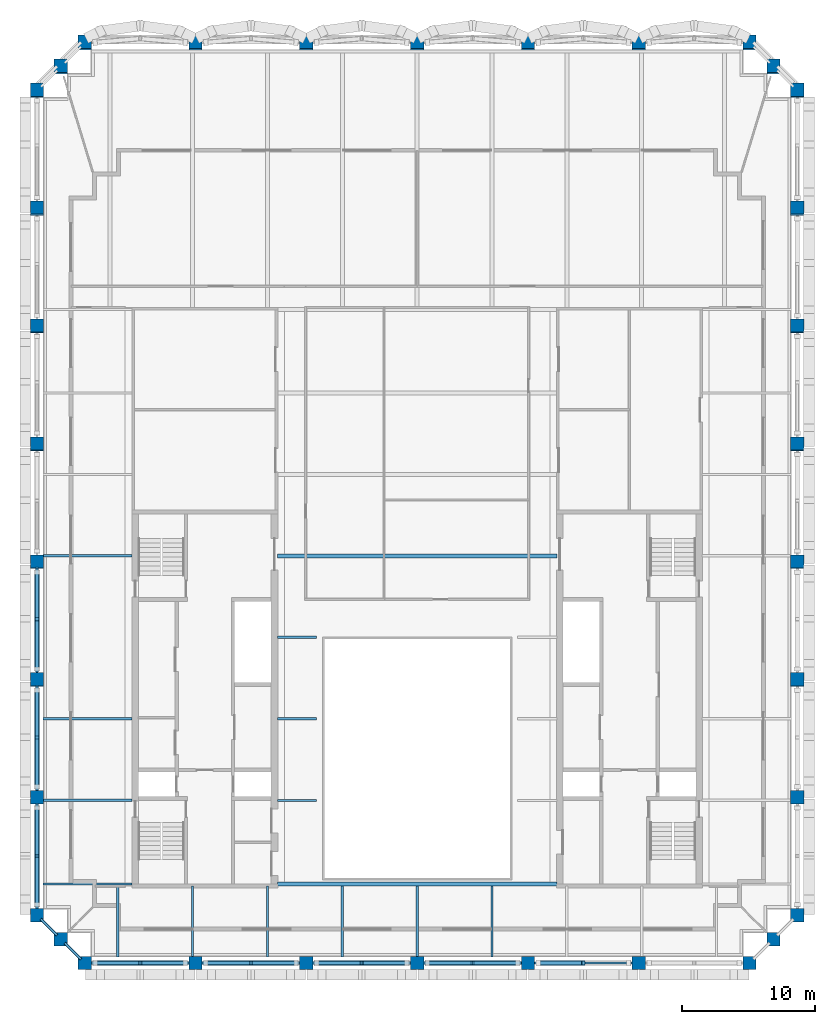
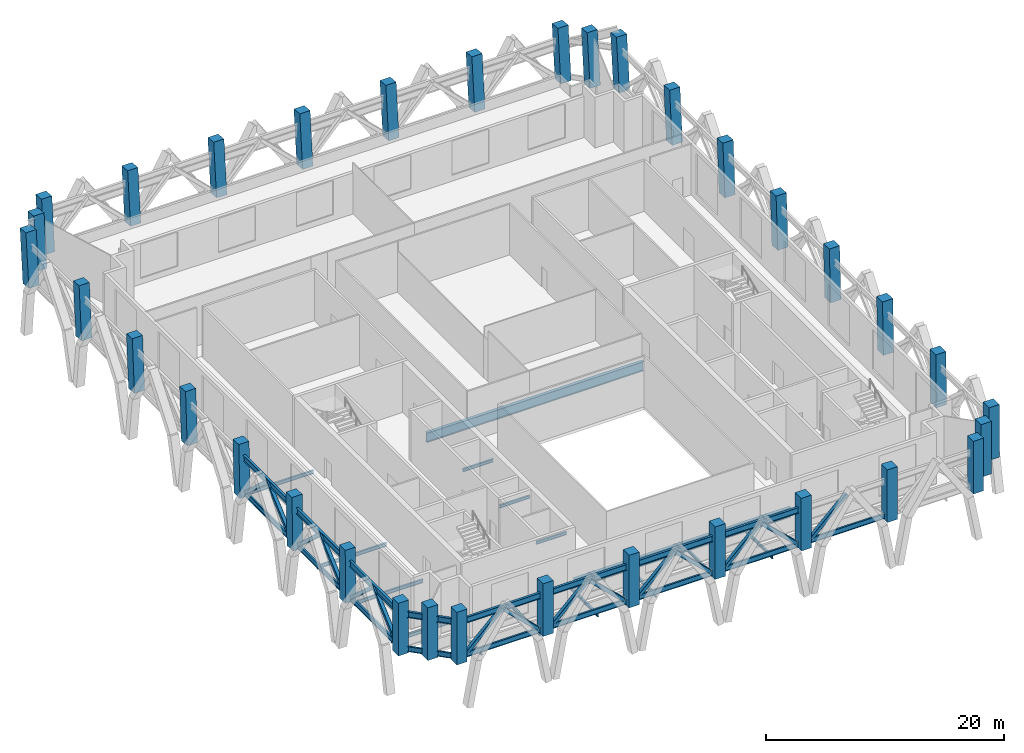
# One storey, part 1 of 13: 34 beams, 34 columns, 15 members.
"""IFC4 building model written with IfcOpenShell, lengths in metres."""

from ifc_helpers import new_model, si_unit, direction, frame, origin, origin_2d, place, context, subcontext, project, spatial, rectangle, hollow_rectangle, i_section, extrude, material, material_profile, profile_set, type_object, element, save


model = new_model("IFC4")

# Units and contexts
model_context = context("Model", 3, precision=1e-05, world=origin(), true_north=direction((0.0, 1.0)))
body_context = subcontext(model_context, "Body", "Model", "MODEL_VIEW")
ifc_project = project(units=[si_unit("LENGTHUNIT", "METRE"), si_unit("AREAUNIT", "SQUARE_METRE"), si_unit("VOLUMEUNIT", "CUBIC_METRE"), si_unit("PLANEANGLEUNIT", "RADIAN"), si_unit("MASSUNIT", "GRAM", prefix="KILO")], contexts=[model_context])

# Site, building, storey
site_placement = place(None, origin())
site = spatial("IfcSite", under=ifc_project, at=site_placement, CompositionType="ELEMENT")
building_placement = place(site_placement, origin())
building = spatial("IfcBuilding", under=site, at=building_placement, Name="Ogive Exchange Tower", CompositionType="ELEMENT")
storey_placement = place(building_placement, frame((0.0, 0.0, 363.60009765625)))
storey = spatial("IfcBuildingStorey", under=building, at=storey_placement, Name="L80", CompositionType="ELEMENT", Elevation=363.60009765625)

# Columns
ifc_material_1 = material(Name="Precast concrete C70/85 (limestone faced)", Category="masonry")
ifc_material_profile_1 = material_profile(ifc_material_1, rectangle(XDim=1.0, YDim=1.0, at=origin_2d()), Name="1000 x 1000")
ifc_profile_set_1 = profile_set([ifc_material_profile_1], Name="Precast concrete C70/85 (limestone faced)")
column_type = type_object("IfcColumnType", Name="Precast exoskeleton leg 1000 x 1000 C70/85", PredefinedType="COLUMN", material=ifc_profile_set_1)
for number, where, z_axis, x_axis, name in (
    (1, (-25.050048828125, -8.39990234375, 0.0), (0.0, 0.0, 1.0), (1.0, 0.0, 0.0), "Exoskeleton leg 1"),
    (2, (-16.699951171875, -8.39990234375, 0.0), (0.0, 0.0, 1.0), (1.0, 0.0, 0.0), "Exoskeleton leg 2"),
    (3, (-8.35009765625, -8.39990234375, 0.0), (0.0, 0.0, 1.0), (1.0, 0.0, 0.0), "Exoskeleton leg 3"),
    (4, (0.0, -8.39990234375, 0.0), (0.0, 0.0, 1.0), (1.0, 0.0, 0.0), "Exoskeleton leg 4"),
    (5, (8.35009765625, -8.39990234375, 0.0), (0.0, 0.0, 1.0), (1.0, 0.0, 0.0), "Exoskeleton leg 5"),
    (6, (16.699951171875, -8.39990234375, 0.0), (0.0, 0.0, 1.0), (1.0, 0.0, 0.0), "Exoskeleton leg 6"),
    (7, (25.050048828125, -8.39990234375, 0.0), (0.0, 0.0, 1.0), (1.0, 0.0, 0.0), "Exoskeleton leg 7"),
    (8, (28.64990234375, -4.800048828125, 0.0), (0.0, 0.0, 1.0), (1.0, 0.0, 0.0), "Exoskeleton leg 8"),
):
    element("IfcColumn", number, at=place(storey_placement, frame(where, z_axis=z_axis, x_axis=x_axis)), inside=storey, type_object=column_type, Name=name, PredefinedType="COLUMN", context=body_context, shape_type="SweptSolid", body=[
        extrude(rectangle(XDim=1.0, YDim=1.0, at=origin_2d()), origin(), (0.0, 0.0, 1.0), 5.39990234375),
    ])
column_1_placement = place(storey_placement, frame((28.64990234375, 4.07275390625, 0.0), z_axis=(0.0, 0.012974764515, 0.9999158242), x_axis=(-1.0, 0.0, 0.0)))
element("IfcColumn", 9, at=column_1_placement, inside=storey, type_object=column_type, Name="Exoskeleton leg 9", PredefinedType="COLUMN", context=body_context, shape_type="SweptSolid", body=[
    extrude(rectangle(XDim=1.0, YDim=1.0, at=origin_2d()), origin(), (0.0, 0.0, 1.0), 5.400390625),
])
column_2_placement = place(storey_placement, frame((28.64990234375, 12.945556640625, 0.0), z_axis=(0.0, 0.02594297882, 0.999663424283), x_axis=(-1.0, 0.0, 0.0)))
element("IfcColumn", 10, at=column_2_placement, inside=storey, type_object=column_type, Name="Exoskeleton leg 10", PredefinedType="COLUMN", context=body_context, shape_type="SweptSolid", body=[
    extrude(rectangle(XDim=1.0, YDim=1.0, at=origin_2d()), origin(), (0.0, 0.0, 1.0), 5.401611328125),
])
column_3_placement = place(storey_placement, frame((28.64990234375, 21.818115234375, 0.0), z_axis=(0.0, 0.038943218577, 0.999241425146), x_axis=(-1.0, 0.0, 0.0)))
element("IfcColumn", 11, at=column_3_placement, inside=storey, type_object=column_type, Name="Exoskeleton leg 11", PredefinedType="COLUMN", context=body_context, shape_type="SweptSolid", body=[
    extrude(rectangle(XDim=1.0, YDim=1.0, at=origin_2d()), origin(), (0.0, 0.0, 1.0), 5.404052734375),
])
column_4_placement = place(storey_placement, frame((28.64990234375, 30.69091796875, 0.0), z_axis=(0.0, 0.051878684787, 0.998653394359), x_axis=(-1.0, 0.0, 0.0)))
element("IfcColumn", 12, at=column_4_placement, inside=storey, type_object=column_type, Name="Exoskeleton leg 12", PredefinedType="COLUMN", context=body_context, shape_type="SweptSolid", body=[
    extrude(rectangle(XDim=1.0, YDim=1.0, at=origin_2d()), origin(), (0.0, 0.0, 1.0), 5.4072265625),
])
column_5_placement = place(storey_placement, frame((28.64990234375, 39.563720703125, 0.0), z_axis=(0.0, 0.064788092411, 0.997899044534), x_axis=(-1.0, 0.0, 0.0)))
element("IfcColumn", 13, at=column_5_placement, inside=storey, type_object=column_type, Name="Exoskeleton leg 13", PredefinedType="COLUMN", context=body_context, shape_type="SweptSolid", body=[
    extrude(rectangle(XDim=1.0, YDim=1.0, at=origin_2d()), origin(), (0.0, 0.0, 1.0), 5.411376953125),
])
column_6_placement = place(storey_placement, frame((28.64990234375, 48.436279296875, 0.0), z_axis=(0.0, 0.077709858612, 0.9969760167), x_axis=(-1.0, 0.0, 0.0)))
element("IfcColumn", 14, at=column_6_placement, inside=storey, type_object=column_type, Name="Exoskeleton leg 14", PredefinedType="COLUMN", context=body_context, shape_type="SweptSolid", body=[
    extrude(rectangle(XDim=1.0, YDim=1.0, at=origin_2d()), origin(), (0.0, 0.0, 1.0), 5.416259765625),
])
for number, where, z_axis, x_axis, name in (
    (15, (28.64990234375, 57.30908203125, 0.0), (0.0, 0.090547925286, 0.995892099189), (-1.0, 0.0, 0.0), "Exoskeleton leg 15"),
    (16, (25.050048828125, 60.9091796875, 0.0), (0.0, 0.090503267862, 0.995896158496), (-1.0, 0.0, 0.0), "Exoskeleton leg 16"),
    (17, (16.699951171875, 60.9091796875, 0.0), (0.0, 0.090503267862, 0.995896158496), (-1.0, 0.0, 0.0), "Exoskeleton leg 17"),
    (18, (8.35009765625, 60.9091796875, 0.0), (0.0, 0.090503267862, 0.995896158496), (-1.0, 0.0, 0.0), "Exoskeleton leg 18"),
    (19, (0.0, 60.9091796875, 0.0), (0.0, 0.090503267862, 0.995896158496), (-1.0, 0.0, 0.0), "Exoskeleton leg 19"),
    (20, (-8.35009765625, 60.9091796875, 0.0), (0.0, 0.090503267862, 0.995896158496), (-1.0, 0.0, 0.0), "Exoskeleton leg 20"),
    (21, (-16.699951171875, 60.9091796875, 0.0), (0.0, 0.090503267862, 0.995896158496), (-1.0, 0.0, 0.0), "Exoskeleton leg 21"),
    (22, (-25.050048828125, 60.9091796875, 0.0), (0.0, 0.090503267862, 0.995896158496), (-1.0, 0.0, 0.0), "Exoskeleton leg 22"),
    (23, (-28.64990234375, 57.30908203125, 0.0), (0.0, 0.090547925286, 0.995892099189), (-1.0, 0.0, 0.0), "Exoskeleton leg 23"),
):
    element("IfcColumn", number, at=place(storey_placement, frame(where, z_axis=z_axis, x_axis=x_axis)), inside=storey, type_object=column_type, Name=name, PredefinedType="COLUMN", context=body_context, shape_type="SweptSolid", body=[
        extrude(rectangle(XDim=1.0, YDim=1.0, at=origin_2d()), origin(), (0.0, 0.0, 1.0), 5.422119140625),
    ])
column_7_placement = place(storey_placement, frame((-28.64990234375, 48.436279296875, 0.0), z_axis=(0.0, 0.077709858612, 0.9969760167), x_axis=(-1.0, 0.0, 0.0)))
element("IfcColumn", 24, at=column_7_placement, inside=storey, type_object=column_type, Name="Exoskeleton leg 24", PredefinedType="COLUMN", context=body_context, shape_type="SweptSolid", body=[
    extrude(rectangle(XDim=1.0, YDim=1.0, at=origin_2d()), origin(), (0.0, 0.0, 1.0), 5.416259765625),
])
column_8_placement = place(storey_placement, frame((-28.64990234375, 39.563720703125, 0.0), z_axis=(0.0, 0.064788092411, 0.997899044534), x_axis=(-1.0, 0.0, 0.0)))
element("IfcColumn", 25, at=column_8_placement, inside=storey, type_object=column_type, Name="Exoskeleton leg 25", PredefinedType="COLUMN", context=body_context, shape_type="SweptSolid", body=[
    extrude(rectangle(XDim=1.0, YDim=1.0, at=origin_2d()), origin(), (0.0, 0.0, 1.0), 5.411376953125),
])
column_9_placement = place(storey_placement, frame((-28.64990234375, 30.69091796875, 0.0), z_axis=(0.0, 0.051878684787, 0.998653394359), x_axis=(-1.0, 0.0, 0.0)))
element("IfcColumn", 26, at=column_9_placement, inside=storey, type_object=column_type, Name="Exoskeleton leg 26", PredefinedType="COLUMN", context=body_context, shape_type="SweptSolid", body=[
    extrude(rectangle(XDim=1.0, YDim=1.0, at=origin_2d()), origin(), (0.0, 0.0, 1.0), 5.4072265625),
])
column_10_placement = place(storey_placement, frame((-28.64990234375, 21.818115234375, 0.0), z_axis=(0.0, 0.038943218577, 0.999241425146), x_axis=(-1.0, 0.0, 0.0)))
element("IfcColumn", 27, at=column_10_placement, inside=storey, type_object=column_type, Name="Exoskeleton leg 27", PredefinedType="COLUMN", context=body_context, shape_type="SweptSolid", body=[
    extrude(rectangle(XDim=1.0, YDim=1.0, at=origin_2d()), origin(), (0.0, 0.0, 1.0), 5.404052734375),
])
column_11_placement = place(storey_placement, frame((-28.64990234375, 12.945556640625, 0.0), z_axis=(0.0, 0.02594297882, 0.999663424283), x_axis=(-1.0, 0.0, 0.0)))
element("IfcColumn", 28, at=column_11_placement, inside=storey, type_object=column_type, Name="Exoskeleton leg 28", PredefinedType="COLUMN", context=body_context, shape_type="SweptSolid", body=[
    extrude(rectangle(XDim=1.0, YDim=1.0, at=origin_2d()), origin(), (0.0, 0.0, 1.0), 5.401611328125),
])
column_12_placement = place(storey_placement, frame((-28.64990234375, 4.07275390625, 0.0), z_axis=(0.0, 0.012974764515, 0.9999158242), x_axis=(-1.0, 0.0, 0.0)))
element("IfcColumn", 29, at=column_12_placement, inside=storey, type_object=column_type, Name="Exoskeleton leg 29", PredefinedType="COLUMN", context=body_context, shape_type="SweptSolid", body=[
    extrude(rectangle(XDim=1.0, YDim=1.0, at=origin_2d()), origin(), (0.0, 0.0, 1.0), 5.400390625),
])
for number, where, z_axis, x_axis, name in (
    (30, (-28.64990234375, -4.800048828125, 0.0), (0.0, 0.0, 1.0), (1.0, 0.0, 0.0), "Exoskeleton leg 30"),
    (31, (26.85009765625, -6.60009765625, 0.0), (0.0, 0.0, 1.0), (1.0, 0.0, 0.0), "Exoskeleton leg 31"),
):
    element("IfcColumn", number, at=place(storey_placement, frame(where, z_axis=z_axis, x_axis=x_axis)), inside=storey, type_object=column_type, Name=name, PredefinedType="COLUMN", context=body_context, shape_type="SweptSolid", body=[
        extrude(rectangle(XDim=1.0, YDim=1.0, at=origin_2d()), origin(), (0.0, 0.0, 1.0), 5.39990234375),
    ])
for number, where, z_axis, x_axis, name in (
    (32, (26.85009765625, 59.109130859375, 0.0), (0.0, 0.090547925286, 0.995892099189), (-1.0, 0.0, 0.0), "Exoskeleton leg 32"),
    (33, (-26.85009765625, 59.109130859375, 0.0), (0.0, 0.090547925286, 0.995892099189), (-1.0, 0.0, 0.0), "Exoskeleton leg 33"),
):
    element("IfcColumn", number, at=place(storey_placement, frame(where, z_axis=z_axis, x_axis=x_axis)), inside=storey, type_object=column_type, Name=name, PredefinedType="COLUMN", context=body_context, shape_type="SweptSolid", body=[
        extrude(rectangle(XDim=1.0, YDim=1.0, at=origin_2d()), origin(), (0.0, 0.0, 1.0), 5.422119140625),
    ])
column_13_placement = place(storey_placement, frame((-26.85009765625, -6.60009765625, 0.0), z_axis=(0.0, 0.0, 1.0), x_axis=(1.0, 0.0, 0.0)))
element("IfcColumn", 34, at=column_13_placement, inside=storey, type_object=column_type, Name="Exoskeleton leg 34", PredefinedType="COLUMN", context=body_context, shape_type="SweptSolid", body=[
    extrude(rectangle(XDim=1.0, YDim=1.0, at=origin_2d()), origin(), (0.0, 0.0, 1.0), 5.39990234375),
])

# Beams
ifc_material_2 = material(Name="Steel ASTM A992 Gr50", Category="steel")
ifc_material_profile_2 = material_profile(ifc_material_2, i_section(OverallWidth=0.1669921875, OverallDepth=0.535888671875, WebThickness=0.01025390625, FlangeThickness=0.0166015625, at=origin_2d()), Name="W530x85")
ifc_profile_set_2 = profile_set([ifc_material_profile_2], Name="Steel ASTM A992 Gr50")
beam_type_1 = type_object("IfcBeamType", Name="Belt truss bottom chord W530x85", PredefinedType="BEAM", material=ifc_profile_set_2)
beam_1_placement = place(storey_placement, frame((-24.570068359375, -8.39990234375, 0.39990234375), z_axis=(1.0, 0.0, 0.0), x_axis=(0.0, 1.0, 0.0)))
element("IfcBeam", 35, at=beam_1_placement, inside=storey, type_object=beam_type_1, Name="Belt truss bottom chord 1", PredefinedType="BEAM", context=body_context, shape_type="SweptSolid", body=[
    extrude(i_section(OverallWidth=0.1669921875, OverallDepth=0.535888671875, WebThickness=0.01025390625, FlangeThickness=0.0166015625, at=origin_2d()), origin(), (0.0, 0.0, 1.0), 7.39013671875),
])
beam_2_placement = place(storey_placement, frame((-16.219970703125, -8.39990234375, 0.39990234375), z_axis=(1.0, 0.0, 0.0), x_axis=(0.0, 1.0, 0.0)))
element("IfcBeam", 36, at=beam_2_placement, inside=storey, type_object=beam_type_1, Name="Belt truss bottom chord 2", PredefinedType="BEAM", context=body_context, shape_type="SweptSolid", body=[
    extrude(i_section(OverallWidth=0.1669921875, OverallDepth=0.535888671875, WebThickness=0.01025390625, FlangeThickness=0.0166015625, at=origin_2d()), origin(), (0.0, 0.0, 1.0), 7.389892578125),
])
for number, where, z_axis, x_axis, name in (
    (37, (-7.8701171875, -8.39990234375, 0.39990234375), (1.0, 0.0, 0.0), (0.0, 1.0, 0.0), "Belt truss bottom chord 3"),
    (38, (0.47998046875, -8.39990234375, 0.39990234375), (1.0, 0.0, 0.0), (0.0, 1.0, 0.0), "Belt truss bottom chord 4"),
):
    element("IfcBeam", number, at=place(storey_placement, frame(where, z_axis=z_axis, x_axis=x_axis)), inside=storey, type_object=beam_type_1, Name=name, PredefinedType="BEAM", context=body_context, shape_type="SweptSolid", body=[
        extrude(i_section(OverallWidth=0.1669921875, OverallDepth=0.535888671875, WebThickness=0.01025390625, FlangeThickness=0.0166015625, at=origin_2d()), origin(), (0.0, 0.0, 1.0), 7.39013671875),
    ])
beam_3_placement = place(storey_placement, frame((8.830078125, -8.39990234375, 0.39990234375), z_axis=(1.0, 0.0, 0.0), x_axis=(0.0, 1.0, 0.0)))
element("IfcBeam", 39, at=beam_3_placement, inside=storey, type_object=beam_type_1, Name="Belt truss bottom chord 5", PredefinedType="BEAM", context=body_context, shape_type="SweptSolid", body=[
    extrude(i_section(OverallWidth=0.1669921875, OverallDepth=0.535888671875, WebThickness=0.01025390625, FlangeThickness=0.0166015625, at=origin_2d()), origin(), (0.0, 0.0, 1.0), 7.389892578125),
])
for number, where, z_axis, x_axis, name in (
    (40, (-28.64990234375, 21.353759765625, 0.39990234375), (0.0, -1.0, 0.0), (1.0, 0.0, 0.0), "Belt truss bottom chord 30"),
    (41, (-28.64990234375, 12.475830078125, 0.39990234375), (0.0, -1.0, 0.0), (1.0, 0.0, 0.0), "Belt truss bottom chord 31"),
    (42, (-28.64990234375, 3.597900390625, 0.39990234375), (0.0, -1.0, 0.0), (1.0, 0.0, 0.0), "Belt truss bottom chord 32"),
):
    element("IfcBeam", number, at=place(storey_placement, frame(where, z_axis=z_axis, x_axis=x_axis)), inside=storey, type_object=beam_type_1, Name=name, PredefinedType="BEAM", context=body_context, shape_type="SweptSolid", body=[
        extrude(i_section(OverallWidth=0.1669921875, OverallDepth=0.535888671875, WebThickness=0.01025390625, FlangeThickness=0.0166015625, at=origin_2d()), origin(), (0.0, 0.0, 1.0), 7.91796875),
    ])
for number, where, z_axis, x_axis, name in (
    (43, (-28.362060546875, -5.087890625, 0.39990234375), (0.707106781187, -0.707106781187, 0.0), (0.707106781187, 0.707106781187, 0.0), "Belt truss bottom chord 33"),
    (44, (-26.56201171875, -6.887939453125, 0.39990234375), (0.707106781187, -0.707106781187, 0.0), (0.707106781187, 0.707106781187, 0.0), "Belt truss bottom chord 34"),
):
    element("IfcBeam", number, at=place(storey_placement, frame(where, z_axis=z_axis, x_axis=x_axis)), inside=storey, type_object=beam_type_1, Name=name, PredefinedType="BEAM", context=body_context, shape_type="SweptSolid", body=[
        extrude(i_section(OverallWidth=0.1669921875, OverallDepth=0.535888671875, WebThickness=0.01025390625, FlangeThickness=0.0166015625, at=origin_2d()), origin(), (0.0, 0.0, 1.0), 1.731201171875),
    ])

# Members
ifc_material_3 = material(Name="Steel ASTM A1085 Gr A", Category="steel")
ifc_material_profile_3 = material_profile(ifc_material_3, hollow_rectangle(XDim=0.35595703125, YDim=0.35595703125, WallThickness=0.015869140625, InnerFilletRadius=0.015869140625, OuterFilletRadius=0.03173828125, at=origin_2d()), Name="HSS355.6x355.6x15.9")
ifc_profile_set_3 = profile_set([ifc_material_profile_3], Name="Steel ASTM A1085 Gr A")
member_type = type_object("IfcMemberType", Name="Belt truss diagonal HSS355.6x355.6x15.9", PredefinedType="BRACE", material=ifc_profile_set_3)
for number, where, z_axis, x_axis, name in (
    (45, (-24.2724609375, -8.39990234375, 0.685302734375), (0.721707482374, 0.0, 0.692198172409), (0.0, 1.0, 0.0), "Belt truss diagonal 1a"),
    (46, (-17.4775390625, -8.39990234375, 0.685302734375), (-0.721707482374, 0.0, 0.692198172409), (0.0, -1.0, 0.0), "Belt truss diagonal 1b"),
):
    element("IfcMember", number, at=place(storey_placement, frame(where, z_axis=z_axis, x_axis=x_axis)), inside=storey, type_object=member_type, Name=name, PredefinedType="BRACE", context=body_context, shape_type="SweptSolid", body=[
        extrude(hollow_rectangle(XDim=0.35595703125, YDim=0.35595703125, WallThickness=0.015869140625, InnerFilletRadius=0.015869140625, OuterFilletRadius=0.03173828125, at=origin_2d()), origin(), (0.0, 0.0, 1.0), 4.70751953125),
    ])
member_1_placement = place(storey_placement, frame((-15.922607421875, -8.39990234375, 0.685302734375), z_axis=(0.721732329908, 0.0, 0.692172264661), x_axis=(0.0, 1.0, 0.0)))
element("IfcMember", 47, at=member_1_placement, inside=storey, type_object=member_type, Name="Belt truss diagonal 2a", PredefinedType="BRACE", context=body_context, shape_type="SweptSolid", body=[
    extrude(hollow_rectangle(XDim=0.35595703125, YDim=0.35595703125, WallThickness=0.015869140625, InnerFilletRadius=0.015869140625, OuterFilletRadius=0.03173828125, at=origin_2d()), origin(), (0.0, 0.0, 1.0), 4.707763671875),
])
for number, where, z_axis, x_axis, name in (
    (48, (-9.12744140625, -8.39990234375, 0.685302734375), (-0.721707482374, 0.0, 0.692198172409), (0.0, -1.0, 0.0), "Belt truss diagonal 2b"),
    (49, (-7.572509765625, -8.39990234375, 0.685302734375), (0.721707482374, 0.0, 0.692198172409), (0.0, 1.0, 0.0), "Belt truss diagonal 3a"),
    (50, (-0.777587890625, -8.39990234375, 0.685302734375), (-0.721707482374, 0.0, 0.692198172409), (0.0, -1.0, 0.0), "Belt truss diagonal 3b"),
    (51, (0.777587890625, -8.39990234375, 0.685302734375), (0.721707482374, 0.0, 0.692198172409), (0.0, 1.0, 0.0), "Belt truss diagonal 4a"),
    (52, (7.572509765625, -8.39990234375, 0.685302734375), (-0.721707482374, 0.0, 0.692198172409), (0.0, -1.0, 0.0), "Belt truss diagonal 4b"),
    (53, (9.12744140625, -8.39990234375, 0.685302734375), (0.721707482374, 0.0, 0.692198172409), (0.0, 1.0, 0.0), "Belt truss diagonal 5a"),
):
    element("IfcMember", number, at=place(storey_placement, frame(where, z_axis=z_axis, x_axis=x_axis)), inside=storey, type_object=member_type, Name=name, PredefinedType="BRACE", context=body_context, shape_type="SweptSolid", body=[
        extrude(hollow_rectangle(XDim=0.35595703125, YDim=0.35595703125, WallThickness=0.015869140625, InnerFilletRadius=0.015869140625, OuterFilletRadius=0.03173828125, at=origin_2d()), origin(), (0.0, 0.0, 1.0), 4.70751953125),
    ])
member_2_placement = place(storey_placement, frame((-28.64990234375, 21.044677734375, 0.684814453125), z_axis=(0.0, -0.735190744235, 0.677860287664), x_axis=(1.0, 0.0, 0.0)))
element("IfcMember", 54, at=member_2_placement, inside=storey, type_object=member_type, Name="Belt truss diagonal 30a", PredefinedType="BRACE", context=body_context, shape_type="SweptSolid", body=[
    extrude(hollow_rectangle(XDim=0.35595703125, YDim=0.35595703125, WallThickness=0.015869140625, InnerFilletRadius=0.015869140625, OuterFilletRadius=0.03173828125, at=origin_2d()), origin(), (0.0, 0.0, 1.0), 4.807861328125),
])
member_3_placement = place(storey_placement, frame((-28.64990234375, 13.7626953125, 0.684326171875), z_axis=(0.0, 0.75450709433, 0.656291889791), x_axis=(-1.0, 0.0, 0.0)))
element("IfcMember", 55, at=member_3_placement, inside=storey, type_object=member_type, Name="Belt truss diagonal 30b", PredefinedType="BRACE", context=body_context, shape_type="SweptSolid", body=[
    extrude(hollow_rectangle(XDim=0.35595703125, YDim=0.35595703125, WallThickness=0.015869140625, InnerFilletRadius=0.015869140625, OuterFilletRadius=0.03173828125, at=origin_2d()), origin(), (0.0, 0.0, 1.0), 4.966552734375),
])
member_4_placement = place(storey_placement, frame((-28.64990234375, 12.1630859375, 0.684814453125), z_axis=(0.0, -0.739211407114, 0.673473455744), x_axis=(1.0, 0.0, 0.0)))
element("IfcMember", 56, at=member_4_placement, inside=storey, type_object=member_type, Name="Belt truss diagonal 31a", PredefinedType="BRACE", context=body_context, shape_type="SweptSolid", body=[
    extrude(hollow_rectangle(XDim=0.35595703125, YDim=0.35595703125, WallThickness=0.015869140625, InnerFilletRadius=0.015869140625, OuterFilletRadius=0.03173828125, at=origin_2d()), origin(), (0.0, 0.0, 1.0), 4.839111328125),
])
member_5_placement = place(storey_placement, frame((-28.64990234375, 4.88134765625, 0.684326171875), z_axis=(0.0, 0.750765534704, 0.660568779084), x_axis=(-1.0, 0.0, 0.0)))
element("IfcMember", 57, at=member_5_placement, inside=storey, type_object=member_type, Name="Belt truss diagonal 31b", PredefinedType="BRACE", context=body_context, shape_type="SweptSolid", body=[
    extrude(hollow_rectangle(XDim=0.35595703125, YDim=0.35595703125, WallThickness=0.015869140625, InnerFilletRadius=0.015869140625, OuterFilletRadius=0.03173828125, at=origin_2d()), origin(), (0.0, 0.0, 1.0), 4.934326171875),
])
member_6_placement = place(storey_placement, frame((-28.64990234375, 3.28173828125, 0.6845703125), z_axis=(0.0, -0.743129630386, 0.669147481833), x_axis=(1.0, 0.0, 0.0)))
element("IfcMember", 58, at=member_6_placement, inside=storey, type_object=member_type, Name="Belt truss diagonal 32a", PredefinedType="BRACE", context=body_context, shape_type="SweptSolid", body=[
    extrude(hollow_rectangle(XDim=0.35595703125, YDim=0.35595703125, WallThickness=0.015869140625, InnerFilletRadius=0.015869140625, OuterFilletRadius=0.03173828125, at=origin_2d()), origin(), (0.0, 0.0, 1.0), 4.870849609375),
])
member_7_placement = place(storey_placement, frame((-28.64990234375, -4.000244140625, 0.6845703125), z_axis=(0.0, 0.74701904863, 0.664802633105), x_axis=(-1.0, 0.0, 0.0)))
element("IfcMember", 59, at=member_7_placement, inside=storey, type_object=member_type, Name="Belt truss diagonal 32b", PredefinedType="BRACE", context=body_context, shape_type="SweptSolid", body=[
    extrude(hollow_rectangle(XDim=0.35595703125, YDim=0.35595703125, WallThickness=0.015869140625, InnerFilletRadius=0.015869140625, OuterFilletRadius=0.03173828125, at=origin_2d()), origin(), (0.0, 0.0, 1.0), 4.902587890625),
])

# Beams
ifc_material_profile_4 = material_profile(ifc_material_2, i_section(OverallWidth=0.22900390625, OverallDepth=0.612060546875, WebThickness=0.011962890625, FlangeThickness=0.01953125, at=origin_2d()), Name="W610x125")
ifc_profile_set_4 = profile_set([ifc_material_profile_4], Name="Steel ASTM A992 Gr50")
beam_type_2 = type_object("IfcBeamType", Name="Belt truss top chord W610x125", PredefinedType="BEAM", material=ifc_profile_set_4)
beam_4_placement = place(storey_placement, frame((-24.570068359375, -8.39990234375, 3.94384765625), z_axis=(1.0, 0.0, 0.0), x_axis=(0.0, 1.0, 0.0)))
element("IfcBeam", 60, at=beam_4_placement, inside=storey, type_object=beam_type_2, Name="Belt truss top chord 1", PredefinedType="BEAM", context=body_context, shape_type="SweptSolid", body=[
    extrude(i_section(OverallWidth=0.22900390625, OverallDepth=0.612060546875, WebThickness=0.011962890625, FlangeThickness=0.01953125, at=origin_2d()), origin(), (0.0, 0.0, 1.0), 7.39013671875),
])
beam_5_placement = place(storey_placement, frame((-16.219970703125, -8.39990234375, 3.94384765625), z_axis=(1.0, 0.0, 0.0), x_axis=(0.0, 1.0, 0.0)))
element("IfcBeam", 61, at=beam_5_placement, inside=storey, type_object=beam_type_2, Name="Belt truss top chord 2", PredefinedType="BEAM", context=body_context, shape_type="SweptSolid", body=[
    extrude(i_section(OverallWidth=0.22900390625, OverallDepth=0.612060546875, WebThickness=0.011962890625, FlangeThickness=0.01953125, at=origin_2d()), origin(), (0.0, 0.0, 1.0), 7.389892578125),
])
for number, where, z_axis, x_axis, name in (
    (62, (-7.8701171875, -8.39990234375, 3.94384765625), (1.0, 0.0, 0.0), (0.0, 1.0, 0.0), "Belt truss top chord 3"),
    (63, (0.47998046875, -8.39990234375, 3.94384765625), (1.0, 0.0, 0.0), (0.0, 1.0, 0.0), "Belt truss top chord 4"),
):
    element("IfcBeam", number, at=place(storey_placement, frame(where, z_axis=z_axis, x_axis=x_axis)), inside=storey, type_object=beam_type_2, Name=name, PredefinedType="BEAM", context=body_context, shape_type="SweptSolid", body=[
        extrude(i_section(OverallWidth=0.22900390625, OverallDepth=0.612060546875, WebThickness=0.011962890625, FlangeThickness=0.01953125, at=origin_2d()), origin(), (0.0, 0.0, 1.0), 7.39013671875),
    ])
for number, where, z_axis, x_axis, name in (
    (64, (-28.64990234375, 21.49169921875, 3.94384765625), (0.0, -1.0, 0.0), (1.0, 0.0, 0.0), "Belt truss top chord 30"),
    (65, (-28.64990234375, 12.56787109375, 3.94384765625), (0.0, -1.0, 0.0), (1.0, 0.0, 0.0), "Belt truss top chord 31"),
    (66, (-28.64990234375, 3.643798828125, 3.94384765625), (0.0, -1.0, 0.0), (1.0, 0.0, 0.0), "Belt truss top chord 32"),
):
    element("IfcBeam", number, at=place(storey_placement, frame(where, z_axis=z_axis, x_axis=x_axis)), inside=storey, type_object=beam_type_2, Name=name, PredefinedType="BEAM", context=body_context, shape_type="SweptSolid", body=[
        extrude(i_section(OverallWidth=0.22900390625, OverallDepth=0.612060546875, WebThickness=0.011962890625, FlangeThickness=0.01953125, at=origin_2d()), origin(), (0.0, 0.0, 1.0), 7.9638671875),
    ])
for number, where, z_axis, x_axis, name in (
    (67, (-28.362060546875, -5.087890625, 3.94384765625), (0.707106781187, -0.707106781187, 0.0), (0.707106781187, 0.707106781187, 0.0), "Belt truss top chord 33"),
    (68, (-26.56201171875, -6.887939453125, 3.94384765625), (0.707106781187, -0.707106781187, 0.0), (0.707106781187, 0.707106781187, 0.0), "Belt truss top chord 34"),
):
    element("IfcBeam", number, at=place(storey_placement, frame(where, z_axis=z_axis, x_axis=x_axis)), inside=storey, type_object=beam_type_2, Name=name, PredefinedType="BEAM", context=body_context, shape_type="SweptSolid", body=[
        extrude(i_section(OverallWidth=0.22900390625, OverallDepth=0.612060546875, WebThickness=0.011962890625, FlangeThickness=0.01953125, at=origin_2d()), origin(), (0.0, 0.0, 1.0), 1.731201171875),
    ])
ifc_material_profile_5 = material_profile(ifc_material_2, i_section(OverallWidth=0.300048828125, OverallDepth=0.97998046875, WebThickness=0.0166015625, FlangeThickness=0.026123046875, at=origin_2d()), Name="W1000x249")
ifc_profile_set_5 = profile_set([ifc_material_profile_5], Name="Steel ASTM A992 Gr50")
beam_type_3 = type_object("IfcBeamType", Name="Floor beam W1000x249", PredefinedType="JOIST", material=ifc_profile_set_5)
beam_6_placement = place(storey_placement, frame((-10.52001953125, 22.288818359375, -0.7900390625), z_axis=(1.0, 0.0, 0.0), x_axis=(0.0, 1.0, 0.0)))
element("IfcBeam", 69, at=beam_6_placement, inside=storey, type_object=beam_type_3, Name="Floor beam", PredefinedType="JOIST", context=body_context, shape_type="SweptSolid", body=[
    extrude(i_section(OverallWidth=0.300048828125, OverallDepth=0.97998046875, WebThickness=0.0166015625, FlangeThickness=0.026123046875, at=origin_2d()), origin(), (0.0, 0.0, 1.0), 21.0400390625),
])
ifc_material_profile_6 = material_profile(ifc_material_2, i_section(OverallWidth=0.1650390625, OverallDepth=0.31005859375, WebThickness=0.005859375, FlangeThickness=0.009765625, at=origin_2d()), Name="W310x38.7")
ifc_profile_set_6 = profile_set([ifc_material_profile_6], Name="Steel ASTM A992 Gr50")
beam_type_4 = type_object("IfcBeamType", Name="Floor beam W310x38.7", PredefinedType="JOIST", material=ifc_profile_set_6)
for number, where, z_axis, x_axis, name in (
    (70, (-10.52001953125, 3.8583984375, -0.455078125), (1.0, 0.0, 0.0), (0.0, 1.0, 0.0), "Floor beam"),
    (71, (-10.52001953125, 10.006591796875, -0.455078125), (1.0, 0.0, 0.0), (0.0, 1.0, 0.0), "Floor beam"),
):
    element("IfcBeam", number, at=place(storey_placement, frame(where, z_axis=z_axis, x_axis=x_axis)), inside=storey, type_object=beam_type_4, Name=name, PredefinedType="JOIST", context=body_context, shape_type="SweptSolid", body=[
        extrude(i_section(OverallWidth=0.1650390625, OverallDepth=0.31005859375, WebThickness=0.005859375, FlangeThickness=0.009765625, at=origin_2d()), origin(), (0.0, 0.0, 1.0), 2.949951171875),
    ])
beam_7_placement = place(storey_placement, frame((-22.56005859375, -7.949951171875, -0.455078125), z_axis=(0.0, 1.0, 0.0), x_axis=(-1.0, 0.0, 0.0)))
element("IfcBeam", 72, at=beam_7_placement, inside=storey, type_object=beam_type_4, Name="Floor beam", PredefinedType="JOIST", context=body_context, shape_type="SweptSolid", body=[
    extrude(i_section(OverallWidth=0.1650390625, OverallDepth=0.31005859375, WebThickness=0.005859375, FlangeThickness=0.009765625, at=origin_2d()), origin(), (0.0, 0.0, 1.0), 5.416015625),
])
for number, where, z_axis, x_axis, name in (
    (73, (-16.919921875, -7.949951171875, -0.455078125), (0.0, 1.0, 0.0), (-1.0, 0.0, 0.0), "Floor beam"),
    (74, (-11.280029296875, -7.949951171875, -0.455078125), (0.0, 1.0, 0.0), (-1.0, 0.0, 0.0), "Floor beam"),
):
    element("IfcBeam", number, at=place(storey_placement, frame(where, z_axis=z_axis, x_axis=x_axis)), inside=storey, type_object=beam_type_4, Name=name, PredefinedType="JOIST", context=body_context, shape_type="SweptSolid", body=[
        extrude(i_section(OverallWidth=0.1650390625, OverallDepth=0.31005859375, WebThickness=0.005859375, FlangeThickness=0.009765625, at=origin_2d()), origin(), (0.0, 0.0, 1.0), 5.349853515625),
    ])
for number, where, z_axis, x_axis, name in (
    (75, (-5.639892578125, -7.949951171875, -0.455078125), (0.0, 1.0, 0.0), (-1.0, 0.0, 0.0), "Floor beam"),
    (76, (0.0, -7.949951171875, -0.455078125), (0.0, 1.0, 0.0), (-1.0, 0.0, 0.0), "Floor beam"),
    (77, (5.639892578125, -7.949951171875, -0.455078125), (0.0, 1.0, 0.0), (-1.0, 0.0, 0.0), "Floor beam"),
):
    element("IfcBeam", number, at=place(storey_placement, frame(where, z_axis=z_axis, x_axis=x_axis)), inside=storey, type_object=beam_type_4, Name=name, PredefinedType="JOIST", context=body_context, shape_type="SweptSolid", body=[
        extrude(i_section(OverallWidth=0.1650390625, OverallDepth=0.31005859375, WebThickness=0.005859375, FlangeThickness=0.009765625, at=origin_2d()), origin(), (0.0, 0.0, 1.0), 5.35498046875),
    ])
ifc_material_profile_7 = material_profile(ifc_material_2, i_section(OverallWidth=0.1708984375, OverallDepth=0.35595703125, WebThickness=0.00732421875, FlangeThickness=0.01171875, at=origin_2d()), Name="W360x51")
ifc_profile_set_7 = profile_set([ifc_material_profile_7], Name="Steel ASTM A992 Gr50")
beam_type_5 = type_object("IfcBeamType", Name="Floor beam W360x51", PredefinedType="JOIST", material=ifc_profile_set_7)
for number, where, z_axis, x_axis, name in (
    (78, (-28.199951171875, 3.8583984375, -0.47802734375), (1.0, 0.0, 0.0), (0.0, 1.0, 0.0), "Floor beam"),
    (79, (-28.199951171875, 10.006591796875, -0.47802734375), (1.0, 0.0, 0.0), (0.0, 1.0, 0.0), "Floor beam"),
    (80, (-28.199951171875, 22.288818359375, -0.47802734375), (1.0, 0.0, 0.0), (0.0, 1.0, 0.0), "Floor beam"),
):
    element("IfcBeam", number, at=place(storey_placement, frame(where, z_axis=z_axis, x_axis=x_axis)), inside=storey, type_object=beam_type_5, Name=name, PredefinedType="JOIST", context=body_context, shape_type="SweptSolid", body=[
        extrude(i_section(OverallWidth=0.1708984375, OverallDepth=0.35595703125, WebThickness=0.00732421875, FlangeThickness=0.01171875, at=origin_2d()), origin(), (0.0, 0.0, 1.0), 6.719970703125),
    ])
ifc_material_profile_8 = material_profile(ifc_material_2, i_section(OverallWidth=0.300048828125, OverallDepth=0.97998046875, WebThickness=0.0166015625, FlangeThickness=0.026123046875, at=origin_2d()), Name="W1000x249")
ifc_profile_set_8 = profile_set([ifc_material_profile_8], Name="Steel ASTM A992 Gr50")
beam_type_6 = type_object("IfcBeamType", Name="Girder W1000x249", PredefinedType="BEAM", material=ifc_profile_set_8)
beam_8_placement = place(storey_placement, frame((-10.52001953125, -2.445068359375, -0.7900390625), z_axis=(1.0, 0.0, 0.0), x_axis=(0.0, 1.0, 0.0)))
element("IfcBeam", 81, at=beam_8_placement, inside=storey, type_object=beam_type_6, Name="Header girder", PredefinedType="BEAM", context=body_context, shape_type="SweptSolid", body=[
    extrude(i_section(OverallWidth=0.300048828125, OverallDepth=0.97998046875, WebThickness=0.0166015625, FlangeThickness=0.026123046875, at=origin_2d()), origin(), (0.0, 0.0, 1.0), 21.0400390625),
])
ifc_material_profile_9 = material_profile(ifc_material_2, i_section(OverallWidth=0.1650390625, OverallDepth=0.31005859375, WebThickness=0.005859375, FlangeThickness=0.009765625, at=origin_2d()), Name="W310x38.7")
ifc_profile_set_9 = profile_set([ifc_material_profile_9], Name="Steel ASTM A992 Gr50")
beam_type_7 = type_object("IfcBeamType", Name="Girder W310x38.7", PredefinedType="BEAM", material=ifc_profile_set_9)
beam_9_placement = place(storey_placement, frame((-10.52001953125, 16.155029296875, -0.455078125), z_axis=(1.0, 0.0, 0.0), x_axis=(0.0, 1.0, 0.0)))
element("IfcBeam", 82, at=beam_9_placement, inside=storey, type_object=beam_type_7, Name="Trimmer girder", PredefinedType="BEAM", context=body_context, shape_type="SweptSolid", body=[
    extrude(i_section(OverallWidth=0.1650390625, OverallDepth=0.31005859375, WebThickness=0.005859375, FlangeThickness=0.009765625, at=origin_2d()), origin(), (0.0, 0.0, 1.0), 2.949951171875),
])
ifc_material_profile_10 = material_profile(ifc_material_2, i_section(OverallWidth=0.177978515625, OverallDepth=0.406005859375, WebThickness=0.0078125, FlangeThickness=0.0126953125, at=origin_2d()), Name="W410x60")
ifc_profile_set_10 = profile_set([ifc_material_profile_10], Name="Steel ASTM A992 Gr50")
beam_type_8 = type_object("IfcBeamType", Name="Girder W410x60", PredefinedType="BEAM", material=ifc_profile_set_10)
beam_10_placement = place(storey_placement, frame((-28.199951171875, -2.445068359375, -0.503173828125), z_axis=(1.0, 0.0, 0.0), x_axis=(0.0, 1.0, 0.0)))
element("IfcBeam", 83, at=beam_10_placement, inside=storey, type_object=beam_type_8, Name="Header girder", PredefinedType="BEAM", context=body_context, shape_type="SweptSolid", body=[
    extrude(i_section(OverallWidth=0.177978515625, OverallDepth=0.406005859375, WebThickness=0.0078125, FlangeThickness=0.0126953125, at=origin_2d()), origin(), (0.0, 0.0, 1.0), 6.719970703125),
])

save(model, "model.ifc")
